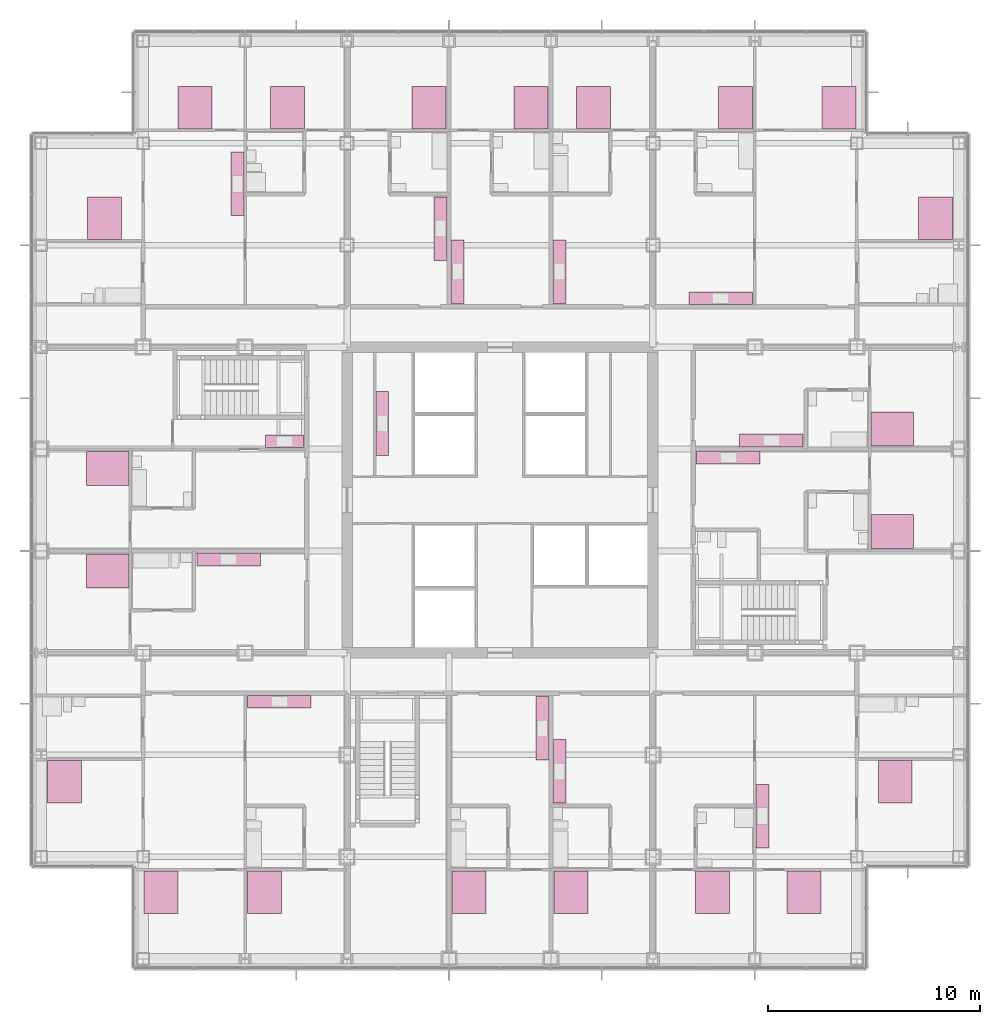
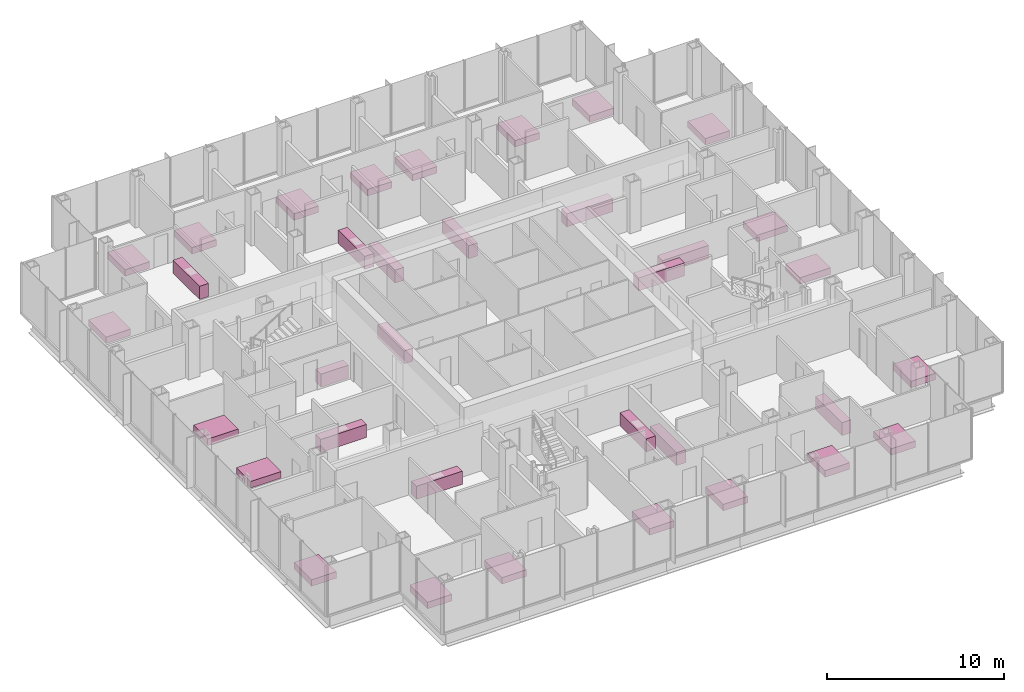
# One storey, part 21 of 21: 35 furniture elements.
"""IFC4 building model written with IfcOpenShell, lengths in metres."""

from ifc_helpers import new_model, si_unit, direction, frame, origin, origin_2d, place, context, subcontext, project, spatial, rectangle, extrude, material, type_object, element, save


model = new_model("IFC4")

# Units and contexts
model_context = context("Model", 3, precision=1e-05, world=origin(), true_north=direction((0.0, 1.0)))
body_context = subcontext(model_context, "Body", "Model", "MODEL_VIEW")
ifc_project = project(units=[si_unit("LENGTHUNIT", "METRE"), si_unit("AREAUNIT", "SQUARE_METRE"), si_unit("VOLUMEUNIT", "CUBIC_METRE"), si_unit("PLANEANGLEUNIT", "RADIAN"), si_unit("MASSUNIT", "GRAM", prefix="KILO")], contexts=[model_context])

# Site, building, storey
site_placement = place(None, origin())
site = spatial("IfcSite", under=ifc_project, at=site_placement, CompositionType="ELEMENT")
building_placement = place(site_placement, origin())
building = spatial("IfcBuilding", under=site, at=building_placement, Name="Kvirike Care Tower", CompositionType="ELEMENT")
storey_placement = place(building_placement, frame((0.0, 0.0, 51.5)))
storey = spatial("IfcBuildingStorey", under=building, at=storey_placement, Name="L13", CompositionType="ELEMENT", Elevation=51.5)

# Furniture
ifc_material_1 = material(Name="Timber", Category="wood")
furniture_type_1 = type_object("IfcFurnitureType", Name="DOUBLE BED 1600 x 2000", AssemblyPlace="FACTORY", PredefinedType="BED", material=ifc_material_1)
for number, where, z_axis, x_axis, name in (
    (1, (1.096923828125, 22.738037109375, 0.0), (0.0, 0.0, 1.0), (1.0, 0.0, 0.0), "Double bed L13-002"),
    (2, (5.64990234375, 17.5380859375, 0.0), (0.0, 0.0, 1.0), (1.0, 0.0, 0.0), "Double bed L13-003"),
    (3, (10.510009765625, 17.5380859375, 0.0), (0.0, 0.0, 1.0), (1.0, 0.0, 0.0), "Double bed L13-004"),
    (4, (3.137939453125, 37.489990234375, 0.0), (0.0, 0.0, 1.0), (0.0, -1.0, 0.0), "Double bed L13-012"),
    (5, (3.137939453125, 32.64990234375, 0.0), (0.0, 0.0, 1.0), (0.0, -1.0, 0.0), "Double bed L13-016"),
    (6, (11.60009765625, 54.4619140625, 0.0), (0.0, 0.0, 1.0), (-1.0, 0.0, 0.0), "Double bed L13-020"),
    (7, (7.239990234375, 54.4619140625, 0.0), (0.0, 0.0, 1.0), (-1.0, 0.0, 0.0), "Double bed L13-021"),
    (8, (2.989990234375, 49.261962890625, 0.0), (0.0, 0.0, 1.0), (-1.0, 0.0, 0.0), "Double bed L13-022"),
    (9, (20.14990234375, 17.5380859375, 0.0), (0.0, 0.0, 1.0), (1.0, 0.0, 0.0), "Double bed L13-030"),
    (10, (24.949951171875, 17.5380859375, 0.0), (0.0, 0.0, 1.0), (1.0, 0.0, 0.0), "Double bed L13-033"),
    (11, (26.0, 54.4619140625, 0.0), (0.0, 0.0, 1.0), (-1.0, 0.0, 0.0), "Double bed L13-037"),
    (12, (23.050048828125, 54.4619140625, 0.0), (0.0, 0.0, 1.0), (-1.0, 0.0, 0.0), "Double bed L13-040"),
    (13, (18.25, 54.4619140625, 0.0), (0.0, 0.0, 1.0), (-1.0, 0.0, 0.0), "Double bed L13-043"),
    (14, (31.60009765625, 17.5380859375, 0.0), (0.0, 0.0, 1.0), (1.0, 0.0, 0.0), "Double bed L13-047"),
    (15, (35.909912109375, 17.5380859375, 0.0), (0.0, 0.0, 1.0), (1.0, 0.0, 0.0), "Double bed L13-048"),
    (16, (40.2099609375, 22.738037109375, 0.0), (0.0, 0.0, 1.0), (1.0, 0.0, 0.0), "Double bed L13-049"),
    (17, (40.06201171875, 34.510009765625, 0.0), (0.0, 0.0, 1.0), (0.0, 1.0, 0.0), "Double bed L13-057"),
    (18, (40.06201171875, 39.35009765625, 0.0), (0.0, 0.0, 1.0), (0.0, 1.0, 0.0), "Double bed L13-061"),
    (19, (42.10302734375, 49.261962890625, 0.0), (0.0, 0.0, 1.0), (-1.0, 0.0, 0.0), "Double bed L13-065"),
    (20, (37.550048828125, 54.4619140625, 0.0), (0.0, 0.0, 1.0), (-1.0, 0.0, 0.0), "Double bed L13-066"),
    (21, (32.68994140625, 54.4619140625, 0.0), (0.0, 0.0, 1.0), (-1.0, 0.0, 0.0), "Double bed L13-067"),
):
    element("IfcFurniture", number, at=place(storey_placement, frame(where, z_axis=z_axis, x_axis=x_axis)), inside=storey, type_object=furniture_type_1, Name=name, PredefinedType="BED", context=body_context, shape_type="SweptSolid", body=[
        extrude(rectangle(XDim=1.60009765625, YDim=2.0, at=origin_2d()), origin(), (0.0, 0.0, 1.0), 0.449951171875),
    ])
ifc_material_2 = material(Name="Laminated board", Category="wood")
furniture_type_2 = type_object("IfcFurnitureType", Name="KITCHEN UNIT RUN 600", AssemblyPlace="FACTORY", PredefinedType="USERDEFINED", material=ifc_material_2)
furniture_1_placement = place(storey_placement, frame((11.2099609375, 26.498046875, 0.0), z_axis=(0.0, 0.0, 1.0), x_axis=(1.0, 0.0, 0.0)))
element("IfcFurniture", 22, at=furniture_1_placement, inside=storey, type_object=furniture_type_2, Name="Kitchen unit run L13-008", ObjectType="KITCHEN UNIT", PredefinedType="USERDEFINED", context=body_context, shape_type="SweptSolid", body=[
    extrude(rectangle(XDim=3.0, YDim=0.60009765625, at=origin_2d()), origin(), (0.0, 0.0, 1.0), 0.89990234375),
])
furniture_2_placement = place(storey_placement, frame((11.449951171875, 38.761962890625, 0.0), z_axis=(0.0, 0.0, 1.0), x_axis=(-1.0, 0.0, 0.0)))
element("IfcFurniture", 23, at=furniture_2_placement, inside=storey, type_object=furniture_type_2, Name="Kitchen unit run L13-014", ObjectType="KITCHEN UNIT", PredefinedType="USERDEFINED", context=body_context, shape_type="SweptSolid", body=[
    extrude(rectangle(XDim=1.800048828125, YDim=0.60009765625, at=origin_2d()), origin(), (0.0, 0.0, 1.0), 0.89990234375),
])
for number, where, z_axis, x_axis, name in (
    (24, (8.824951171875, 33.197998046875, 0.0), (0.0, 0.0, 1.0), (1.0, 0.0, 0.0), "Kitchen unit run L13-018"),
    (25, (9.238037109375, 50.889892578125, 0.0), (0.0, 0.0, 1.0), (0.0, -1.0, 0.0), "Kitchen unit run L13-026"),
    (26, (23.597900390625, 25.25, 0.0), (0.0, 0.0, 1.0), (0.0, -1.0, 0.0), "Kitchen unit run L13-032"),
    (27, (24.402099609375, 23.22509765625, 0.0), (0.0, 0.0, 1.0), (0.0, 1.0, 0.0), "Kitchen unit run L13-035"),
    (28, (24.402099609375, 46.75, 0.0), (0.0, 0.0, 1.0), (0.0, 1.0, 0.0), "Kitchen unit run L13-039"),
    (29, (19.60205078125, 46.75, 0.0), (0.0, 0.0, 1.0), (0.0, 1.0, 0.0), "Kitchen unit run L13-042"),
    (30, (18.798095703125, 48.77490234375, 0.0), (0.0, 0.0, 1.0), (0.0, -1.0, 0.0), "Kitchen unit run L13-045"),
    (31, (33.9619140625, 21.110107421875, 0.0), (0.0, 0.0, 1.0), (0.0, 1.0, 0.0), "Kitchen unit run L13-053"),
    (32, (32.35009765625, 37.998046875, 0.0), (0.0, 0.0, 1.0), (1.0, 0.0, 0.0), "Kitchen unit run L13-060"),
    (33, (34.375, 38.802001953125, 0.0), (0.0, 0.0, 1.0), (-1.0, 0.0, 0.0), "Kitchen unit run L13-063"),
    (34, (31.989990234375, 45.501953125, 0.0), (0.0, 0.0, 1.0), (-1.0, 0.0, 0.0), "Kitchen unit run L13-071"),
    (35, (16.052001953125, 39.60009765625, 0.0), (0.0, 0.0, 1.0), (0.0, 1.0, 0.0), "Kitchen unit run L13-078"),
):
    element("IfcFurniture", number, at=place(storey_placement, frame(where, z_axis=z_axis, x_axis=x_axis)), inside=storey, type_object=furniture_type_2, Name=name, ObjectType="KITCHEN UNIT", PredefinedType="USERDEFINED", context=body_context, shape_type="SweptSolid", body=[
        extrude(rectangle(XDim=3.0, YDim=0.60009765625, at=origin_2d()), origin(), (0.0, 0.0, 1.0), 0.89990234375),
    ])

save(model, "model.ifc")
